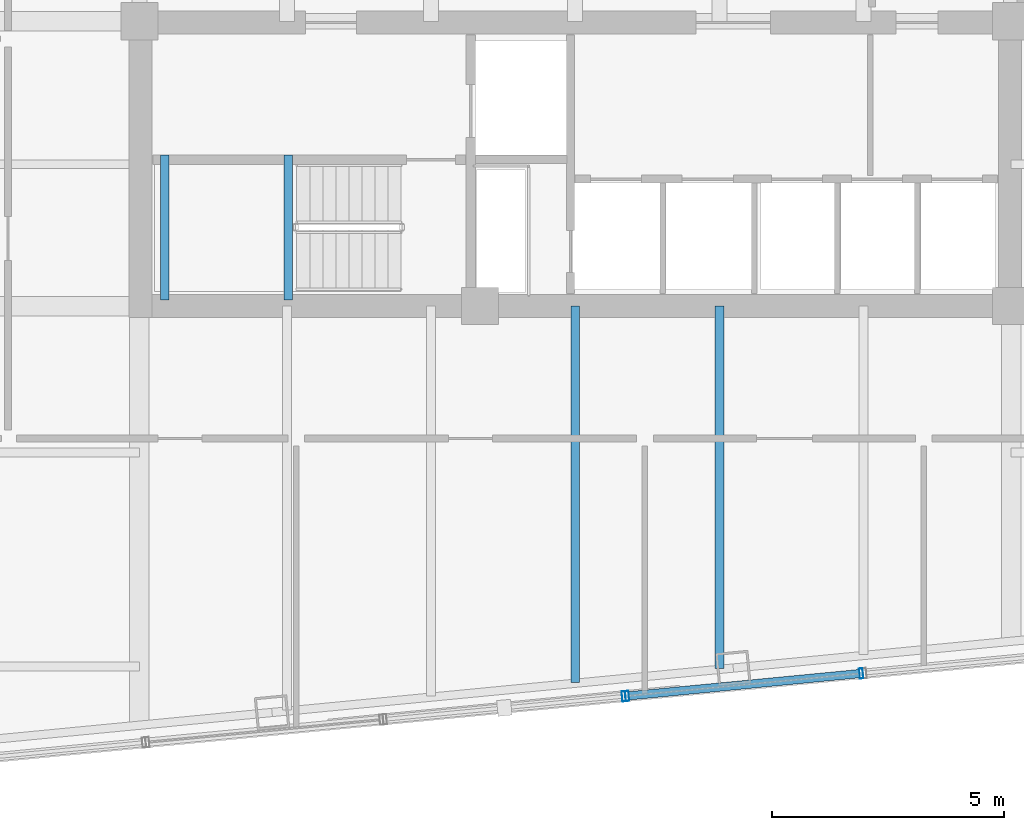
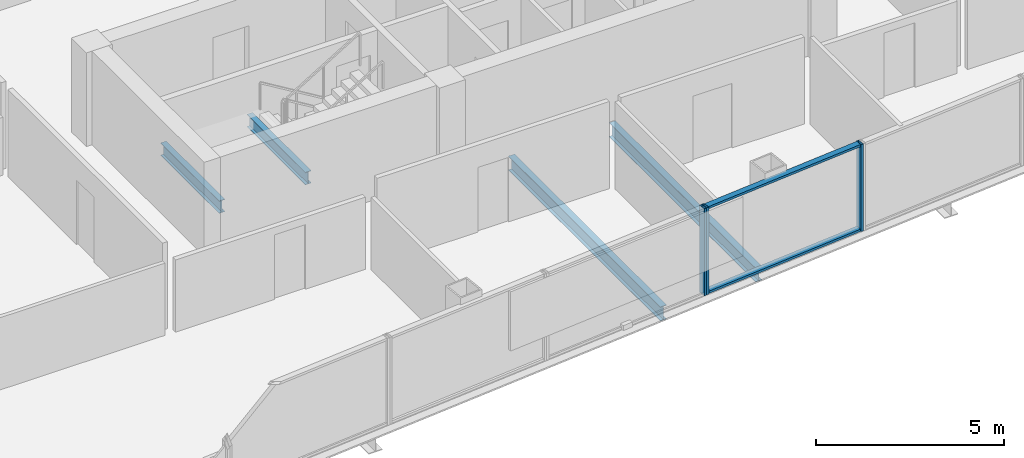
# One storey, part 6 of 29: 5 members, 4 beams, 2 elements without a shape of their own.
"""IFC4 building model written with IfcOpenShell, lengths in metres."""

from ifc_helpers import new_model, si_unit, direction, frame, origin, origin_2d, place, context, subcontext, project, spatial, hollow_rectangle, i_section, extrude, material, layer, layer_set, material_profile, profile_set, type_object, element, aggregate, save


model = new_model("IFC4")

# Units and contexts
model_context = context("Model", 3, precision=1e-05, world=origin(), true_north=direction((0.0, 1.0)))
body_context = subcontext(model_context, "Body", "Model", "MODEL_VIEW")
ifc_project = project(units=[si_unit("LENGTHUNIT", "METRE"), si_unit("AREAUNIT", "SQUARE_METRE"), si_unit("VOLUMEUNIT", "CUBIC_METRE"), si_unit("PLANEANGLEUNIT", "RADIAN"), si_unit("MASSUNIT", "GRAM", prefix="KILO")], contexts=[model_context])

# Site, building, storey
site_placement = place(None, origin())
site = spatial("IfcSite", under=ifc_project, at=site_placement, CompositionType="ELEMENT")
building_placement = place(site_placement, origin())
building = spatial("IfcBuilding", under=site, at=building_placement, Name="Qhalaya Broadcast Tower", CompositionType="ELEMENT")
storey_placement = place(building_placement, frame((0.0, 0.0, 177.5)))
storey = spatial("IfcBuildingStorey", under=building, at=storey_placement, Name="L52", CompositionType="ELEMENT", Elevation=177.5)

# Beams
ifc_material_1 = material(Name="Structural Steel ASTM A992 Grade 50", Category="steel")
ifc_material_profile_1 = material_profile(ifc_material_1, i_section(OverallWidth=0.19189453125, OverallDepth=0.462890625, WebThickness=0.010498046875, FlangeThickness=0.017578125, at=origin_2d()), Name="W18X60")
ifc_profile_set_1 = profile_set([ifc_material_profile_1], Name="Structural Steel ASTM A992 Grade 50")
beam_type_1 = type_object("IfcBeamType", Name="Composite Floor Joist J03", PredefinedType="JOIST", material=ifc_profile_set_1)
beam_1_placement = place(storey_placement, frame((0.0, -16.844482421875, -0.451416015625), z_axis=(0.0, 1.0, 0.0), x_axis=(-1.0, 0.0, 0.0)))
element("IfcBeam", 1, at=beam_1_placement, inside=storey, type_object=beam_type_1, Name="L52 J03 L52-JNS3-1", PredefinedType="JOIST", context=body_context, shape_type="SweptSolid", body=[
    extrude(i_section(OverallWidth=0.19189453125, OverallDepth=0.462890625, WebThickness=0.010498046875, FlangeThickness=0.017578125, at=origin_2d()), origin(), (0.0, 0.0, 1.0), 8.094482421875),
])
beam_2_placement = place(storey_placement, frame((3.10009765625, -16.546142578125, -0.451416015625), z_axis=(0.0, 1.0, 0.0), x_axis=(-1.0, 0.0, 0.0)))
element("IfcBeam", 2, at=beam_2_placement, inside=storey, type_object=beam_type_1, Name="L52 J03 L52-JNS4-1", PredefinedType="JOIST", context=body_context, shape_type="SweptSolid", body=[
    extrude(i_section(OverallWidth=0.19189453125, OverallDepth=0.462890625, WebThickness=0.010498046875, FlangeThickness=0.017578125, at=origin_2d()), origin(), (0.0, 0.0, 1.0), 7.796142578125),
])

# Curtain wall, member
ifc_material_2 = material(Name="Fired Architectural Terracotta", Category="masonry")
ifc_layer_1 = layer(ifc_material_2, 0.219970703125, Name="Fired Architectural Terracotta")
ifc_layer_set_1 = layer_set([ifc_layer_1], Name="Fired Architectural Terracotta")
curtain_wall_type_1 = type_object("IfcCurtainWallType", Name="Block-Cap Unitised Terracotta Spandrel Wall CW-07", PredefinedType="NOTDEFINED", material=ifc_layer_set_1)
curtain_wall_1_placement = place(storey_placement, origin())
curtain_wall_1 = element("IfcCurtainWall", 3, at=curtain_wall_1_placement, inside=storey, type_object=curtain_wall_type_1, Name="L52 Unitised Curtain Wall L52-CW-S4", PredefinedType="NOTDEFINED")
ifc_material_3 = material(Name="Anodised Aluminium 6063-T6", Category="aluminium")
ifc_material_profile_2 = material_profile(ifc_material_3, hollow_rectangle(XDim=0.074951171875, YDim=0.219970703125, WallThickness=0.00390625, at=origin_2d()), Name="ALU-MUL 75x220x4")
ifc_profile_set_2 = profile_set([ifc_material_profile_2], Name="Anodised Aluminium 6063-T6")
member_type_1 = type_object("IfcMemberType", Name="Unitised Curtain-Wall Mullion M01", PredefinedType="MULLION", material=ifc_profile_set_2)
member_1_placement = place(storey_placement, frame((1.044189453125, -17.14599609375, 0.0), z_axis=(0.0, 0.0, 1.0), x_axis=(0.995397089148, 0.095836500956, 0.0)))
member_1 = element("IfcMember", 4, at=member_1_placement, type_object=member_type_1, Name="CW-07 mullion 2", PredefinedType="MULLION", context=body_context, shape_type="SweptSolid", body=[
    extrude(hollow_rectangle(XDim=0.074951171875, YDim=0.219970703125, WallThickness=0.00390625, at=origin_2d()), origin(), (0.0, 0.0, 1.0), 2.830078125),
])
aggregate(curtain_wall_1, [member_1])

# Curtain wall, members
ifc_material_4 = material(Name="Solar-Control Low-E Triple Glazing", Category="glass")
ifc_layer_2 = layer(ifc_material_4, 0.219970703125, Name="Solar-Control Low-E Triple Glazing")
ifc_layer_set_2 = layer_set([ifc_layer_2], Name="Solar-Control Low-E Triple Glazing")
curtain_wall_type_2 = type_object("IfcCurtainWallType", Name="Even-Block 4-Storey Double-Module Curtain Wall CW-03", PredefinedType="NOTDEFINED", material=ifc_layer_set_2)
curtain_wall_2_placement = place(storey_placement, origin())
curtain_wall_2 = element("IfcCurtainWall", 5, at=curtain_wall_2_placement, inside=storey, type_object=curtain_wall_type_2, Name="L52 Unitised Curtain Wall L52-CW-S5", PredefinedType="NOTDEFINED")
member_2_placement = place(storey_placement, frame((1.118896484375, -17.138671875, 0.0), z_axis=(0.0, 0.0, 1.0), x_axis=(0.995395950784, 0.095848323733, 0.0)))
member_2 = element("IfcMember", 6, at=member_2_placement, type_object=member_type_1, Name="CW-03 mullion 1", PredefinedType="MULLION", context=body_context, shape_type="SweptSolid", body=[
    extrude(hollow_rectangle(XDim=0.074951171875, YDim=0.219970703125, WallThickness=0.00390625, at=origin_2d()), origin(), (0.0, 0.0, 1.0), 2.830078125),
])
member_3_placement = place(storey_placement, frame((6.151611328125, -16.654052734375, 0.0), z_axis=(0.0, 0.0, 1.0), x_axis=(0.995395950784, 0.095848323733, 0.0)))
member_3 = element("IfcMember", 7, at=member_3_placement, type_object=member_type_1, Name="CW-03 mullion 2", PredefinedType="MULLION", context=body_context, shape_type="SweptSolid", body=[
    extrude(hollow_rectangle(XDim=0.074951171875, YDim=0.219970703125, WallThickness=0.00390625, at=origin_2d()), origin(), (0.0, 0.0, 1.0), 2.830078125),
])
ifc_material_profile_3 = material_profile(ifc_material_3, hollow_rectangle(XDim=0.074951171875, YDim=0.179931640625, WallThickness=0.00390625, at=origin_2d()), Name="ALU-TRN 75x180x4")
ifc_profile_set_3 = profile_set([ifc_material_profile_3], Name="Anodised Aluminium 6063-T6")
member_type_2 = type_object("IfcMemberType", Name="Unitised Curtain-Wall Transom T01", PredefinedType="USERDEFINED", material=ifc_profile_set_3)
member_4_placement = place(storey_placement, frame((1.15625, -17.135009765625, 0.03759765625), z_axis=(0.995398246298, 0.09582448156, 0.0), x_axis=(0.0, 0.0, 1.0)))
member_4 = element("IfcMember", 8, at=member_4_placement, type_object=member_type_2, Name="CW-03 transom 1.1", ObjectType="TRANSOM", PredefinedType="USERDEFINED", context=body_context, shape_type="SweptSolid", body=[
    extrude(hollow_rectangle(XDim=0.074951171875, YDim=0.179931640625, WallThickness=0.00390625, at=origin_2d()), origin(), (0.0, 0.0, 1.0), 4.98095703125),
])
member_5_placement = place(storey_placement, frame((1.15625, -17.135009765625, 2.79248046875), z_axis=(0.995398246298, 0.09582448156, 0.0), x_axis=(0.0, 0.0, 1.0)))
member_5 = element("IfcMember", 9, at=member_5_placement, type_object=member_type_2, Name="CW-03 transom 1.2", ObjectType="TRANSOM", PredefinedType="USERDEFINED", context=body_context, shape_type="SweptSolid", body=[
    extrude(hollow_rectangle(XDim=0.074951171875, YDim=0.179931640625, WallThickness=0.00390625, at=origin_2d()), origin(), (0.0, 0.0, 1.0), 4.98095703125),
])
aggregate(curtain_wall_2, [member_2, member_3, member_4, member_5])

# Beams
ifc_material_profile_4 = material_profile(ifc_material_1, i_section(OverallWidth=0.177978515625, OverallDepth=0.406005859375, WebThickness=0.0078125, FlangeThickness=0.0126953125, at=origin_2d()), Name="W16X40")
ifc_profile_set_4 = profile_set([ifc_material_profile_4], Name="Structural Steel ASTM A992 Grade 50")
beam_type_2 = type_object("IfcBeamType", Name="Upper Perimeter Spandrel Beam SP2", PredefinedType="SPANDREL", material=ifc_profile_set_4)
for number, where, z_axis, x_axis, name in (
    (10, (-8.830078125, -8.6201171875, 1.1220703125), (0.0, 1.0, 0.0), (-1.0, 0.0, 0.0), "L52 ST-2 Half-Landing Bearer Beam 1"),
    (11, (-6.175048828125, -8.6201171875, 1.1220703125), (0.0, 1.0, 0.0), (-1.0, 0.0, 0.0), "L52 ST-2 Half-Landing Bearer Beam 2"),
):
    element("IfcBeam", number, at=place(storey_placement, frame(where, z_axis=z_axis, x_axis=x_axis)), inside=storey, type_object=beam_type_2, Name=name, PredefinedType="SPANDREL", context=body_context, shape_type="SweptSolid", body=[
        extrude(i_section(OverallWidth=0.177978515625, OverallDepth=0.406005859375, WebThickness=0.0078125, FlangeThickness=0.0126953125, at=origin_2d()), origin(), (0.0, 0.0, 1.0), 3.1201171875),
    ])

save(model, "model.ifc")
